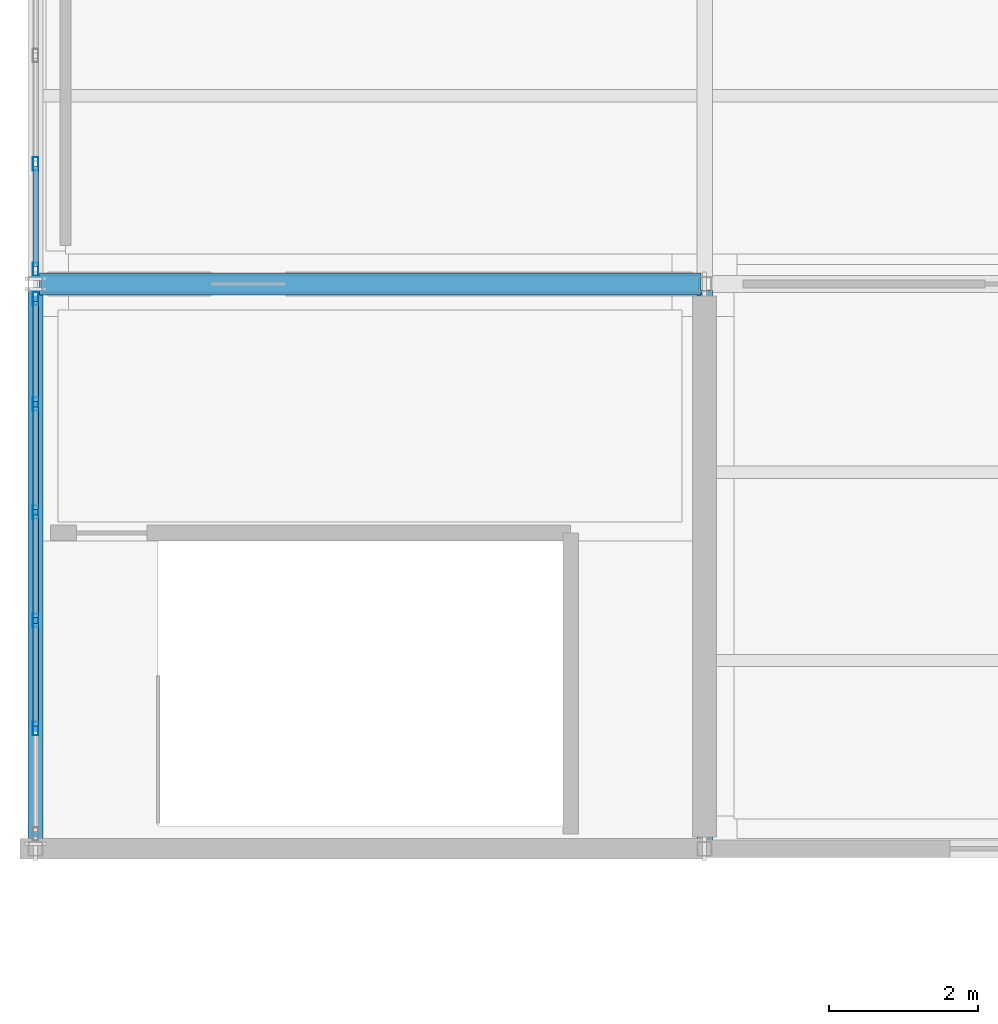
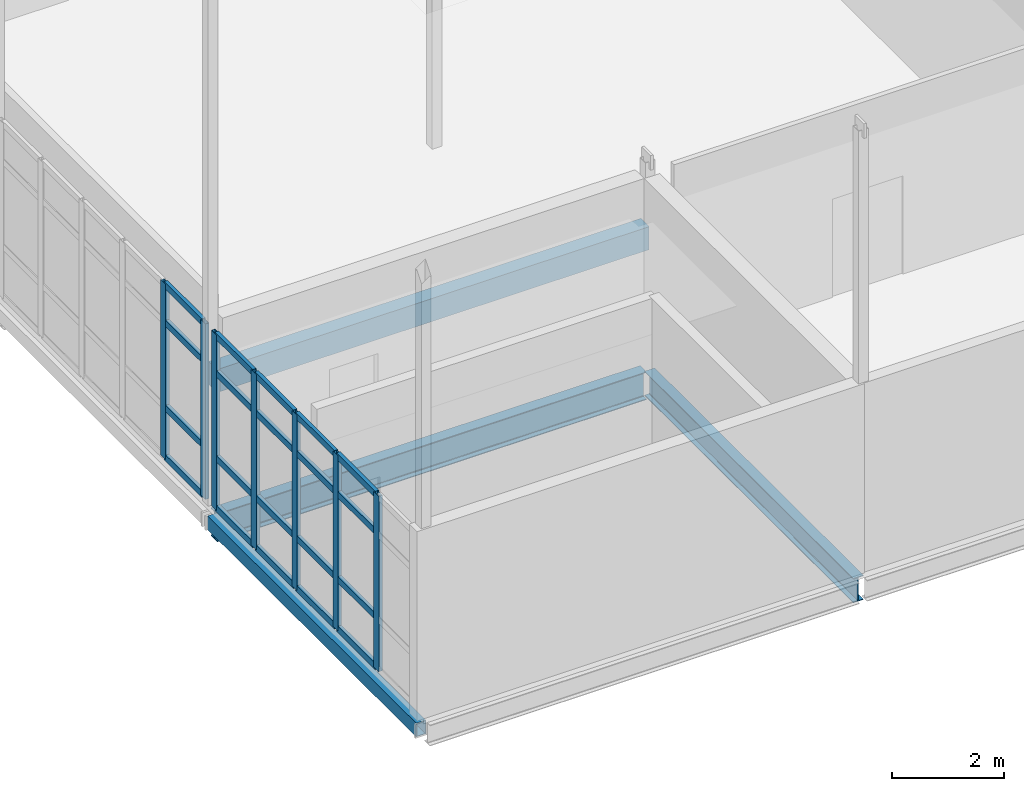
# One storey, part 18 of 96: 27 members, 4 beams, 2 elements without a shape of their own.
"""IFC4 building model written with IfcOpenShell, lengths in metres."""

from ifc_helpers import new_model, si_unit, direction, frame, origin, origin_2d, place, context, subcontext, project, spatial, rectangle, hollow_rectangle, i_section, extrude, material, material_profile, profile_set, type_object, element, aggregate, save


model = new_model("IFC4")

# Units and contexts
model_context = context("Model", 3, precision=1e-05, world=origin(), true_north=direction((0.0, 1.0)))
body_context = subcontext(model_context, "Body", "Model", "MODEL_VIEW")
ifc_project = project(units=[si_unit("LENGTHUNIT", "METRE"), si_unit("AREAUNIT", "SQUARE_METRE"), si_unit("VOLUMEUNIT", "CUBIC_METRE"), si_unit("PLANEANGLEUNIT", "RADIAN"), si_unit("MASSUNIT", "GRAM", prefix="KILO")], contexts=[model_context])

# Site, building, storey
site_placement = place(None, origin())
site = spatial("IfcSite", under=ifc_project, at=site_placement, CompositionType="ELEMENT")
building_placement = place(site_placement, origin())
building = spatial("IfcBuilding", under=site, at=building_placement, Name="Caisbarro Railhouse Central Library", CompositionType="ELEMENT")
storey_placement = place(building_placement, frame((0.0, 0.0, 13.679931640625)))
storey = spatial("IfcBuildingStorey", under=building, at=storey_placement, Name="L03", CompositionType="ELEMENT", Elevation=13.679931640625)

# Beams
ifc_material_1 = material(Name="Steel ASTM A572 Grade 50", Category="steel")
ifc_material_profile_1 = material_profile(ifc_material_1, i_section(OverallWidth=0.22802734375, OverallDepth=0.60791015625, WebThickness=0.01123046875, FlangeThickness=0.017333984375, FilletRadius=0.02197265625, at=origin_2d()), Name="W610X113.0")
ifc_profile_set_1 = profile_set([ifc_material_profile_1], Name="Steel ASTM A572 Grade 50")
beam_type_1 = type_object("IfcBeamType", Name="BM-G04", PredefinedType="BEAM", material=ifc_profile_set_1)
beam_1_placement = place(storey_placement, frame((0.080078125, 38.0, -0.52392578125), z_axis=(1.0, 0.0, 0.0), x_axis=(0.0, 1.0, 0.0)))
element("IfcBeam", 1, at=beam_1_placement, inside=storey, type_object=beam_type_1, Name="G04 beam L03 #1830", PredefinedType="BEAM", context=body_context, shape_type="SweptSolid", body=[
    extrude(i_section(OverallWidth=0.22802734375, OverallDepth=0.60791015625, WebThickness=0.01123046875, FlangeThickness=0.017333984375, FilletRadius=0.02197265625, at=origin_2d()), origin(), (0.0, 0.0, 1.0), 8.83984375),
])
ifc_material_profile_2 = material_profile(ifc_material_1, i_section(OverallWidth=0.208984375, OverallDepth=0.532958984375, WebThickness=0.01025390625, FlangeThickness=0.015625, FilletRadius=0.02001953125, at=origin_2d()), Name="W530X92.0")
ifc_profile_set_2 = profile_set([ifc_material_profile_2], Name="Steel ASTM A572 Grade 50")
beam_type_2 = type_object("IfcBeamType", Name="BM-G06", PredefinedType="BEAM", material=ifc_profile_set_2)
beam_2_placement = place(storey_placement, frame((9.0, 30.47998046875, -0.486328125), z_axis=(0.0, 1.0, 0.0), x_axis=(-1.0, 0.0, 0.0)))
element("IfcBeam", 2, at=beam_2_placement, inside=storey, type_object=beam_type_2, Name="G06 beam L03 #1839", PredefinedType="BEAM", context=body_context, shape_type="SweptSolid", body=[
    extrude(i_section(OverallWidth=0.208984375, OverallDepth=0.532958984375, WebThickness=0.01025390625, FlangeThickness=0.015625, FilletRadius=0.02001953125, at=origin_2d()), origin(), (0.0, 0.0, 1.0), 7.43994140625),
])
ifc_material_2 = material(Name="Concrete C40", Category="concrete")
ifc_material_profile_3 = material_profile(ifc_material_2, rectangle(XDim=0.300048828125, YDim=0.5, at=origin_2d()), Name="RC-LIN-300X500")
ifc_profile_set_3 = profile_set([ifc_material_profile_3], Name="Concrete C40")
beam_type_3 = type_object("IfcBeamType", Name="BM-LN03", PredefinedType="LINTEL", material=ifc_profile_set_3)
beam_3_placement = place(storey_placement, frame((0.050048828125, 38.0, 2.699951171875), z_axis=(1.0, 0.0, 0.0), x_axis=(0.0, 1.0, 0.0)))
element("IfcBeam", 3, at=beam_3_placement, inside=storey, type_object=beam_type_3, Name="LN03 RC core coupling lintel K6 L03", PredefinedType="LINTEL", context=body_context, shape_type="SweptSolid", body=[
    extrude(rectangle(XDim=0.300048828125, YDim=0.5, at=origin_2d()), origin(), (0.0, 0.0, 1.0), 8.89990234375),
])
ifc_material_profile_4 = material_profile(ifc_material_1, hollow_rectangle(XDim=0.199951171875, YDim=0.300048828125, WallThickness=0.012451171875, at=origin_2d()), Name="HSS300X200X12.5")
ifc_profile_set_4 = profile_set([ifc_material_profile_4], Name="Steel ASTM A572 Grade 50")
beam_type_4 = type_object("IfcBeamType", Name="BM-SP02", PredefinedType="SPANDREL", material=ifc_profile_set_4)
beam_4_placement = place(storey_placement, frame((0.0, 30.47998046875, -0.369873046875), z_axis=(0.0, 1.0, 0.0), x_axis=(-1.0, 0.0, 0.0)))
element("IfcBeam", 4, at=beam_4_placement, inside=storey, type_object=beam_type_4, Name="SP02 beam L03 #1836", PredefinedType="SPANDREL", context=body_context, shape_type="SweptSolid", body=[
    extrude(hollow_rectangle(XDim=0.199951171875, YDim=0.300048828125, WallThickness=0.012451171875, at=origin_2d()), origin(), (0.0, 0.0, 1.0), 7.43994140625),
])

# Curtain wall, members
ifc_material_3 = material(Name="Anodised architectural aluminium", Category="aluminium")
curtain_wall_type = type_object("IfcCurtainWallType", Name="CW-CW02", PredefinedType="NOTDEFINED", material=ifc_material_3)
curtain_wall_1_placement = place(storey_placement, origin())
curtain_wall_1 = element("IfcCurtainWall", 5, at=curtain_wall_1_placement, inside=storey, type_object=curtain_wall_type, Name="CW02 curtain wall L03 #48", PredefinedType="NOTDEFINED")
ifc_material_profile_5 = material_profile(ifc_material_3, hollow_rectangle(XDim=0.074951171875, YDim=0.179931640625, WallThickness=0.00439453125, at=origin_2d()), Name="ALU-MUL-75X180")
ifc_profile_set_5 = profile_set([ifc_material_profile_5], Name="Anodised architectural aluminium")
member_type_1 = type_object("IfcMemberType", Name="CWM-M01", PredefinedType="MULLION", material=ifc_profile_set_5)
member_1_placement = place(storey_placement, frame((0.0, 32.01611328125, 0.0), z_axis=(0.0, 0.0, 1.0), x_axis=(-1.0, 0.0, 0.0)))
member_1 = element("IfcMember", 6, at=member_1_placement, type_object=member_type_1, Name="CW02 mullion 2", PredefinedType="MULLION", context=body_context, shape_type="SweptSolid", body=[
    extrude(hollow_rectangle(XDim=0.074951171875, YDim=0.179931640625, WallThickness=0.00439453125, at=origin_2d()), origin(), (0.0, 0.0, 1.0), 3.820068359375),
])
member_2_placement = place(storey_placement, frame((0.0, 33.471923828125, 0.0), z_axis=(0.0, 0.0, 1.0), x_axis=(-1.0, 0.0, 0.0)))
member_2 = element("IfcMember", 7, at=member_2_placement, type_object=member_type_1, Name="CW02 mullion 3", PredefinedType="MULLION", context=body_context, shape_type="SweptSolid", body=[
    extrude(hollow_rectangle(XDim=0.074951171875, YDim=0.179931640625, WallThickness=0.00439453125, at=origin_2d()), origin(), (0.0, 0.0, 1.0), 3.820068359375),
])
member_3_placement = place(storey_placement, frame((0.0, 34.927978515625, 0.0), z_axis=(0.0, 0.0, 1.0), x_axis=(-1.0, 0.0, 0.0)))
member_3 = element("IfcMember", 8, at=member_3_placement, type_object=member_type_1, Name="CW02 mullion 4", PredefinedType="MULLION", context=body_context, shape_type="SweptSolid", body=[
    extrude(hollow_rectangle(XDim=0.074951171875, YDim=0.179931640625, WallThickness=0.00439453125, at=origin_2d()), origin(), (0.0, 0.0, 1.0), 3.820068359375),
])
member_4_placement = place(storey_placement, frame((0.0, 36.384033203125, 0.0), z_axis=(0.0, 0.0, 1.0), x_axis=(-1.0, 0.0, 0.0)))
member_4 = element("IfcMember", 9, at=member_4_placement, type_object=member_type_1, Name="CW02 mullion 5", PredefinedType="MULLION", context=body_context, shape_type="SweptSolid", body=[
    extrude(hollow_rectangle(XDim=0.074951171875, YDim=0.179931640625, WallThickness=0.00439453125, at=origin_2d()), origin(), (0.0, 0.0, 1.0), 3.820068359375),
])
member_5_placement = place(storey_placement, frame((0.0, 37.802490234375, 0.0), z_axis=(0.0, 0.0, 1.0), x_axis=(-1.0, 0.0, 0.0)))
member_5 = element("IfcMember", 10, at=member_5_placement, type_object=member_type_1, Name="CW02 mullion 6", PredefinedType="MULLION", context=body_context, shape_type="SweptSolid", body=[
    extrude(hollow_rectangle(XDim=0.074951171875, YDim=0.179931640625, WallThickness=0.00439453125, at=origin_2d()), origin(), (0.0, 0.0, 1.0), 3.820068359375),
])

curtain_wall_2_placement = place(storey_placement, origin())
curtain_wall_2 = element("IfcCurtainWall", 11, at=curtain_wall_2_placement, inside=storey, type_object=curtain_wall_type, Name="CW02 curtain wall L03 #49", PredefinedType="NOTDEFINED")
member_6_placement = place(storey_placement, frame((0.0, 38.197509765625, 0.0), z_axis=(0.0, 0.0, 1.0), x_axis=(-1.0, 0.0, 0.0)))
member_6 = element("IfcMember", 12, at=member_6_placement, type_object=member_type_1, Name="CW02 mullion 1", PredefinedType="MULLION", context=body_context, shape_type="SweptSolid", body=[
    extrude(hollow_rectangle(XDim=0.074951171875, YDim=0.179931640625, WallThickness=0.00439453125, at=origin_2d()), origin(), (0.0, 0.0, 1.0), 3.820068359375),
])
member_7_placement = place(storey_placement, frame((0.0, 39.615966796875, 0.0), z_axis=(0.0, 0.0, 1.0), x_axis=(-1.0, 0.0, 0.0)))
member_7 = element("IfcMember", 13, at=member_7_placement, type_object=member_type_1, Name="CW02 mullion 2", PredefinedType="MULLION", context=body_context, shape_type="SweptSolid", body=[
    extrude(hollow_rectangle(XDim=0.074951171875, YDim=0.179931640625, WallThickness=0.00439453125, at=origin_2d()), origin(), (0.0, 0.0, 1.0), 3.820068359375),
])

# Member
ifc_material_profile_6 = material_profile(ifc_material_3, hollow_rectangle(XDim=0.074951171875, YDim=0.139892578125, WallThickness=0.00390625, at=origin_2d()), Name="ALU-TRN-75X140")
ifc_profile_set_6 = profile_set([ifc_material_profile_6], Name="Anodised architectural aluminium")
member_type_2 = type_object("IfcMemberType", Name="CWT-T01", PredefinedType="USERDEFINED", material=ifc_profile_set_6)
member_8_placement = place(storey_placement, frame((0.0, 32.053466796875, 0.03759765625), z_axis=(0.0, 1.0, 0.0), x_axis=(-1.0, 0.0, 0.0)))
member_8 = element("IfcMember", 14, at=member_8_placement, type_object=member_type_2, Name="CW02 transom 2.1", ObjectType="TRANSOM", PredefinedType="USERDEFINED", context=body_context, shape_type="SweptSolid", body=[
    extrude(hollow_rectangle(XDim=0.074951171875, YDim=0.139892578125, WallThickness=0.00390625, at=origin_2d()), origin(), (0.0, 0.0, 1.0), 1.381103515625),
])

member_9_placement = place(storey_placement, frame((0.0, 32.053466796875, 1.1201171875), z_axis=(0.0, 1.0, 0.0), x_axis=(-1.0, 0.0, 0.0)))
member_9 = element("IfcMember", 15, at=member_9_placement, type_object=member_type_2, Name="CW02 transom 2.2", ObjectType="TRANSOM", PredefinedType="USERDEFINED", context=body_context, shape_type="SweptSolid", body=[
    extrude(hollow_rectangle(XDim=0.074951171875, YDim=0.139892578125, WallThickness=0.00390625, at=origin_2d()), origin(), (0.0, 0.0, 1.0), 1.381103515625),
])

member_10_placement = place(storey_placement, frame((0.0, 32.053466796875, 2.969970703125), z_axis=(0.0, 1.0, 0.0), x_axis=(-1.0, 0.0, 0.0)))
member_10 = element("IfcMember", 16, at=member_10_placement, type_object=member_type_2, Name="CW02 transom 2.3", ObjectType="TRANSOM", PredefinedType="USERDEFINED", context=body_context, shape_type="SweptSolid", body=[
    extrude(hollow_rectangle(XDim=0.074951171875, YDim=0.139892578125, WallThickness=0.00390625, at=origin_2d()), origin(), (0.0, 0.0, 1.0), 1.381103515625),
])

member_11_placement = place(storey_placement, frame((0.0, 32.053466796875, 3.782470703125), z_axis=(0.0, 1.0, 0.0), x_axis=(-1.0, 0.0, 0.0)))
member_11 = element("IfcMember", 17, at=member_11_placement, type_object=member_type_2, Name="CW02 transom 2.4", ObjectType="TRANSOM", PredefinedType="USERDEFINED", context=body_context, shape_type="SweptSolid", body=[
    extrude(hollow_rectangle(XDim=0.074951171875, YDim=0.139892578125, WallThickness=0.00390625, at=origin_2d()), origin(), (0.0, 0.0, 1.0), 1.381103515625),
])

member_12_placement = place(storey_placement, frame((0.0, 33.509521484375, 0.03759765625), z_axis=(0.0, 1.0, 0.0), x_axis=(-1.0, 0.0, 0.0)))
member_12 = element("IfcMember", 18, at=member_12_placement, type_object=member_type_2, Name="CW02 transom 3.1", ObjectType="TRANSOM", PredefinedType="USERDEFINED", context=body_context, shape_type="SweptSolid", body=[
    extrude(hollow_rectangle(XDim=0.074951171875, YDim=0.139892578125, WallThickness=0.00390625, at=origin_2d()), origin(), (0.0, 0.0, 1.0), 1.380859375),
])

member_13_placement = place(storey_placement, frame((0.0, 33.509521484375, 1.1201171875), z_axis=(0.0, 1.0, 0.0), x_axis=(-1.0, 0.0, 0.0)))
member_13 = element("IfcMember", 19, at=member_13_placement, type_object=member_type_2, Name="CW02 transom 3.2", ObjectType="TRANSOM", PredefinedType="USERDEFINED", context=body_context, shape_type="SweptSolid", body=[
    extrude(hollow_rectangle(XDim=0.074951171875, YDim=0.139892578125, WallThickness=0.00390625, at=origin_2d()), origin(), (0.0, 0.0, 1.0), 1.380859375),
])

member_14_placement = place(storey_placement, frame((0.0, 33.509521484375, 2.969970703125), z_axis=(0.0, 1.0, 0.0), x_axis=(-1.0, 0.0, 0.0)))
member_14 = element("IfcMember", 20, at=member_14_placement, type_object=member_type_2, Name="CW02 transom 3.3", ObjectType="TRANSOM", PredefinedType="USERDEFINED", context=body_context, shape_type="SweptSolid", body=[
    extrude(hollow_rectangle(XDim=0.074951171875, YDim=0.139892578125, WallThickness=0.00390625, at=origin_2d()), origin(), (0.0, 0.0, 1.0), 1.380859375),
])

member_15_placement = place(storey_placement, frame((0.0, 33.509521484375, 3.782470703125), z_axis=(0.0, 1.0, 0.0), x_axis=(-1.0, 0.0, 0.0)))
member_15 = element("IfcMember", 21, at=member_15_placement, type_object=member_type_2, Name="CW02 transom 3.4", ObjectType="TRANSOM", PredefinedType="USERDEFINED", context=body_context, shape_type="SweptSolid", body=[
    extrude(hollow_rectangle(XDim=0.074951171875, YDim=0.139892578125, WallThickness=0.00390625, at=origin_2d()), origin(), (0.0, 0.0, 1.0), 1.380859375),
])

member_16_placement = place(storey_placement, frame((0.0, 34.965576171875, 0.03759765625), z_axis=(0.0, 1.0, 0.0), x_axis=(-1.0, 0.0, 0.0)))
member_16 = element("IfcMember", 22, at=member_16_placement, type_object=member_type_2, Name="CW02 transom 4.1", ObjectType="TRANSOM", PredefinedType="USERDEFINED", context=body_context, shape_type="SweptSolid", body=[
    extrude(hollow_rectangle(XDim=0.074951171875, YDim=0.139892578125, WallThickness=0.00390625, at=origin_2d()), origin(), (0.0, 0.0, 1.0), 1.380859375),
])

member_17_placement = place(storey_placement, frame((0.0, 34.965576171875, 1.1201171875), z_axis=(0.0, 1.0, 0.0), x_axis=(-1.0, 0.0, 0.0)))
member_17 = element("IfcMember", 23, at=member_17_placement, type_object=member_type_2, Name="CW02 transom 4.2", ObjectType="TRANSOM", PredefinedType="USERDEFINED", context=body_context, shape_type="SweptSolid", body=[
    extrude(hollow_rectangle(XDim=0.074951171875, YDim=0.139892578125, WallThickness=0.00390625, at=origin_2d()), origin(), (0.0, 0.0, 1.0), 1.380859375),
])

member_18_placement = place(storey_placement, frame((0.0, 34.965576171875, 2.969970703125), z_axis=(0.0, 1.0, 0.0), x_axis=(-1.0, 0.0, 0.0)))
member_18 = element("IfcMember", 24, at=member_18_placement, type_object=member_type_2, Name="CW02 transom 4.3", ObjectType="TRANSOM", PredefinedType="USERDEFINED", context=body_context, shape_type="SweptSolid", body=[
    extrude(hollow_rectangle(XDim=0.074951171875, YDim=0.139892578125, WallThickness=0.00390625, at=origin_2d()), origin(), (0.0, 0.0, 1.0), 1.380859375),
])

member_19_placement = place(storey_placement, frame((0.0, 34.965576171875, 3.782470703125), z_axis=(0.0, 1.0, 0.0), x_axis=(-1.0, 0.0, 0.0)))
member_19 = element("IfcMember", 25, at=member_19_placement, type_object=member_type_2, Name="CW02 transom 4.4", ObjectType="TRANSOM", PredefinedType="USERDEFINED", context=body_context, shape_type="SweptSolid", body=[
    extrude(hollow_rectangle(XDim=0.074951171875, YDim=0.139892578125, WallThickness=0.00390625, at=origin_2d()), origin(), (0.0, 0.0, 1.0), 1.380859375),
])

member_20_placement = place(storey_placement, frame((0.0, 36.42138671875, 0.03759765625), z_axis=(0.0, 1.0, 0.0), x_axis=(-1.0, 0.0, 0.0)))
member_20 = element("IfcMember", 26, at=member_20_placement, type_object=member_type_2, Name="CW02 transom 5.1", ObjectType="TRANSOM", PredefinedType="USERDEFINED", context=body_context, shape_type="SweptSolid", body=[
    extrude(hollow_rectangle(XDim=0.074951171875, YDim=0.139892578125, WallThickness=0.00390625, at=origin_2d()), origin(), (0.0, 0.0, 1.0), 1.343505859375),
])

member_21_placement = place(storey_placement, frame((0.0, 36.42138671875, 1.1201171875), z_axis=(0.0, 1.0, 0.0), x_axis=(-1.0, 0.0, 0.0)))
member_21 = element("IfcMember", 27, at=member_21_placement, type_object=member_type_2, Name="CW02 transom 5.2", ObjectType="TRANSOM", PredefinedType="USERDEFINED", context=body_context, shape_type="SweptSolid", body=[
    extrude(hollow_rectangle(XDim=0.074951171875, YDim=0.139892578125, WallThickness=0.00390625, at=origin_2d()), origin(), (0.0, 0.0, 1.0), 1.343505859375),
])

member_22_placement = place(storey_placement, frame((0.0, 36.42138671875, 2.969970703125), z_axis=(0.0, 1.0, 0.0), x_axis=(-1.0, 0.0, 0.0)))
member_22 = element("IfcMember", 28, at=member_22_placement, type_object=member_type_2, Name="CW02 transom 5.3", ObjectType="TRANSOM", PredefinedType="USERDEFINED", context=body_context, shape_type="SweptSolid", body=[
    extrude(hollow_rectangle(XDim=0.074951171875, YDim=0.139892578125, WallThickness=0.00390625, at=origin_2d()), origin(), (0.0, 0.0, 1.0), 1.343505859375),
])

member_23_placement = place(storey_placement, frame((0.0, 36.42138671875, 3.782470703125), z_axis=(0.0, 1.0, 0.0), x_axis=(-1.0, 0.0, 0.0)))
member_23 = element("IfcMember", 29, at=member_23_placement, type_object=member_type_2, Name="CW02 transom 5.4", ObjectType="TRANSOM", PredefinedType="USERDEFINED", context=body_context, shape_type="SweptSolid", body=[
    extrude(hollow_rectangle(XDim=0.074951171875, YDim=0.139892578125, WallThickness=0.00390625, at=origin_2d()), origin(), (0.0, 0.0, 1.0), 1.343505859375),
])

aggregate(curtain_wall_1, [member_1, member_2, member_3, member_4, member_5, member_8, member_9, member_10, member_11, member_12, member_13, member_14, member_15, member_16, member_17, member_18, member_19, member_20, member_21, member_22, member_23])

member_24_placement = place(storey_placement, frame((0.0, 38.235107421875, 0.03759765625), z_axis=(0.0, 1.0, 0.0), x_axis=(-1.0, 0.0, 0.0)))
member_24 = element("IfcMember", 30, at=member_24_placement, type_object=member_type_2, Name="CW02 transom 1.1", ObjectType="TRANSOM", PredefinedType="USERDEFINED", context=body_context, shape_type="SweptSolid", body=[
    extrude(hollow_rectangle(XDim=0.074951171875, YDim=0.139892578125, WallThickness=0.00390625, at=origin_2d()), origin(), (0.0, 0.0, 1.0), 1.343505859375),
])

member_25_placement = place(storey_placement, frame((0.0, 38.235107421875, 1.1201171875), z_axis=(0.0, 1.0, 0.0), x_axis=(-1.0, 0.0, 0.0)))
member_25 = element("IfcMember", 31, at=member_25_placement, type_object=member_type_2, Name="CW02 transom 1.2", ObjectType="TRANSOM", PredefinedType="USERDEFINED", context=body_context, shape_type="SweptSolid", body=[
    extrude(hollow_rectangle(XDim=0.074951171875, YDim=0.139892578125, WallThickness=0.00390625, at=origin_2d()), origin(), (0.0, 0.0, 1.0), 1.343505859375),
])

member_26_placement = place(storey_placement, frame((0.0, 38.235107421875, 2.969970703125), z_axis=(0.0, 1.0, 0.0), x_axis=(-1.0, 0.0, 0.0)))
member_26 = element("IfcMember", 32, at=member_26_placement, type_object=member_type_2, Name="CW02 transom 1.3", ObjectType="TRANSOM", PredefinedType="USERDEFINED", context=body_context, shape_type="SweptSolid", body=[
    extrude(hollow_rectangle(XDim=0.074951171875, YDim=0.139892578125, WallThickness=0.00390625, at=origin_2d()), origin(), (0.0, 0.0, 1.0), 1.343505859375),
])

member_27_placement = place(storey_placement, frame((0.0, 38.235107421875, 3.782470703125), z_axis=(0.0, 1.0, 0.0), x_axis=(-1.0, 0.0, 0.0)))
member_27 = element("IfcMember", 33, at=member_27_placement, type_object=member_type_2, Name="CW02 transom 1.4", ObjectType="TRANSOM", PredefinedType="USERDEFINED", context=body_context, shape_type="SweptSolid", body=[
    extrude(hollow_rectangle(XDim=0.074951171875, YDim=0.139892578125, WallThickness=0.00390625, at=origin_2d()), origin(), (0.0, 0.0, 1.0), 1.343505859375),
])

aggregate(curtain_wall_2, [member_6, member_7, member_24, member_25, member_26, member_27])

save(model, "model.ifc")
